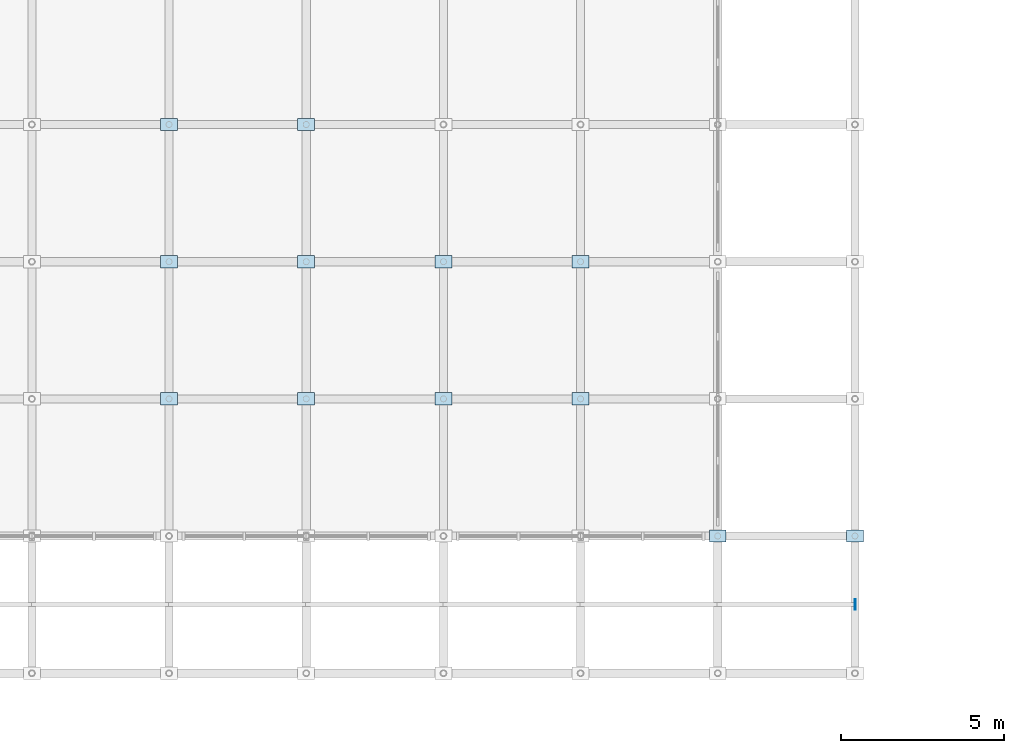
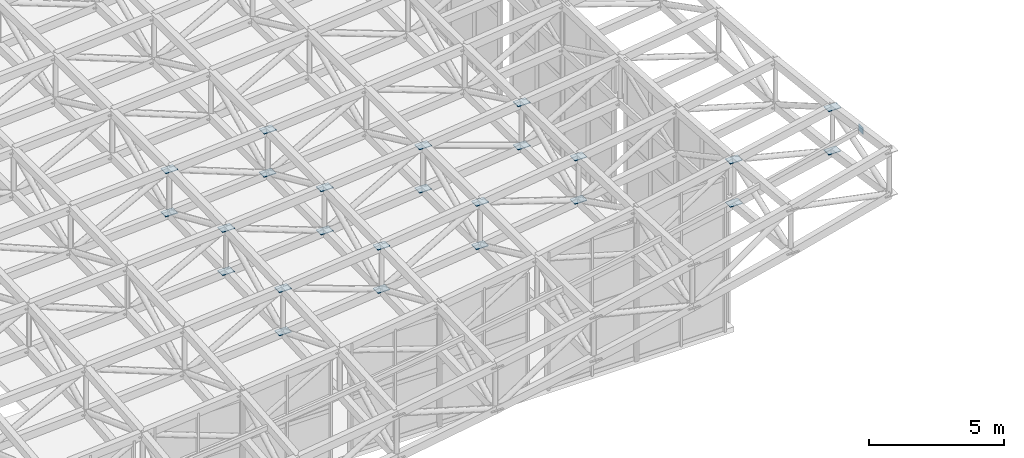
# One storey, part 80 of 111: 25 plates.
"""IFC4 building model written with IfcOpenShell, lengths in metres."""

from ifc_helpers import new_model, si_unit, direction, frame, origin, origin_2d, place, context, subcontext, project, spatial, rectangle, extrude, material, layer, layer_set, type_object, element, save


model = new_model("IFC4")

# Units and contexts
model_context = context("Model", 3, precision=1e-05, world=origin(), true_north=direction((0.0, 1.0)))
body_context = subcontext(model_context, "Body", "Model", "MODEL_VIEW")
ifc_project = project(units=[si_unit("LENGTHUNIT", "METRE"), si_unit("AREAUNIT", "SQUARE_METRE"), si_unit("VOLUMEUNIT", "CUBIC_METRE"), si_unit("PLANEANGLEUNIT", "RADIAN"), si_unit("MASSUNIT", "GRAM", prefix="KILO")], contexts=[model_context])

# Site, building, storey
site_placement = place(None, origin())
site = spatial("IfcSite", under=ifc_project, at=site_placement, CompositionType="ELEMENT")
building_placement = place(site_placement, origin())
building = spatial("IfcBuilding", under=site, at=building_placement, Name="Cumbredor Promenade Congress Hotel", CompositionType="ELEMENT")
storey_placement = place(building_placement, frame((0.0, 0.0, 15.1201171875)))
storey = spatial("IfcBuildingStorey", under=building, at=storey_placement, Name="L04", CompositionType="ELEMENT", Elevation=15.1201171875)

# Plates
ifc_material = material(Name="Steel ASTM A572 Grade 50", Category="steel")
ifc_layer_1 = layer(ifc_material, 0.030029296875, Name="Steel ASTM A572 Grade 50", Category="steel")
ifc_layer_set_1 = layer_set([ifc_layer_1], Name="Steel ASTM A572 Grade 50")
plate_type_1 = type_object("IfcPlateType", Name="Forum Truss Node Assembly ND-04", PredefinedType="USERDEFINED", material=ifc_layer_set_1)
for number, where, z_axis, x_axis, name in (
    (1, (159.60009765625, 88.199951171875, 5.06396484375), (0.0, 0.0, 1.0), (1.0, 0.0, 0.0), "Pre-Function and Breakout Meeting Forum Space Frame Top Node 18.3"),
    (2, (159.60009765625, 88.199951171875, 3.11376953125), (0.0, 0.0, 1.0), (1.0, 0.0, 0.0), "Pre-Function and Breakout Meeting Forum Space Frame Bottom Node 18.3"),
    (3, (159.60009765625, 92.39990234375, 5.23046875), (0.0, 0.0, 1.0), (1.0, 0.0, 0.0), "Pre-Function and Breakout Meeting Forum Space Frame Top Node 18.4"),
    (4, (159.60009765625, 92.39990234375, 3.28076171875), (0.0, 0.0, 1.0), (1.0, 0.0, 0.0), "Pre-Function and Breakout Meeting Forum Space Frame Bottom Node 18.4"),
    (5, (159.60009765625, 96.60009765625, 5.33056640625), (0.0, 0.0, 1.0), (1.0, 0.0, 0.0), "Pre-Function and Breakout Meeting Forum Space Frame Top Node 18.5"),
    (6, (159.60009765625, 96.60009765625, 3.380859375), (0.0, 0.0, 1.0), (1.0, 0.0, 0.0), "Pre-Function and Breakout Meeting Forum Space Frame Bottom Node 18.5"),
    (7, (163.800048828125, 88.199951171875, 5.50390625), (0.0, 0.0, 1.0), (1.0, 0.0, 0.0), "Pre-Function and Breakout Meeting Forum Space Frame Top Node 19.3"),
    (8, (163.800048828125, 88.199951171875, 3.5537109375), (0.0, 0.0, 1.0), (1.0, 0.0, 0.0), "Pre-Function and Breakout Meeting Forum Space Frame Bottom Node 19.3"),
    (9, (163.800048828125, 92.39990234375, 5.59326171875), (0.0, 0.0, 1.0), (1.0, 0.0, 0.0), "Pre-Function and Breakout Meeting Forum Space Frame Top Node 19.4"),
    (10, (163.800048828125, 92.39990234375, 3.64306640625), (0.0, 0.0, 1.0), (1.0, 0.0, 0.0), "Pre-Function and Breakout Meeting Forum Space Frame Bottom Node 19.4"),
    (11, (163.800048828125, 96.60009765625, 5.64697265625), (0.0, 0.0, 1.0), (1.0, 0.0, 0.0), "Pre-Function and Breakout Meeting Forum Space Frame Top Node 19.5"),
    (12, (163.800048828125, 96.60009765625, 3.69677734375), (0.0, 0.0, 1.0), (1.0, 0.0, 0.0), "Pre-Function and Breakout Meeting Forum Space Frame Bottom Node 19.5"),
    (13, (168.0, 88.199951171875, 6.0107421875), (0.0, 0.0, 1.0), (1.0, 0.0, 0.0), "Pre-Function and Breakout Meeting Forum Space Frame Top Node 20.3"),
    (14, (168.0, 88.199951171875, 4.060546875), (0.0, 0.0, 1.0), (1.0, 0.0, 0.0), "Pre-Function and Breakout Meeting Forum Space Frame Bottom Node 20.3"),
    (15, (168.0, 92.39990234375, 6.01123046875), (0.0, 0.0, 1.0), (1.0, 0.0, 0.0), "Pre-Function and Breakout Meeting Forum Space Frame Top Node 20.4"),
    (16, (168.0, 92.39990234375, 4.06103515625), (0.0, 0.0, 1.0), (1.0, 0.0, 0.0), "Pre-Function and Breakout Meeting Forum Space Frame Bottom Node 20.4"),
    (17, (172.199951171875, 88.199951171875, 6.5849609375), (0.0, 0.0, 1.0), (1.0, 0.0, 0.0), "Pre-Function and Breakout Meeting Forum Space Frame Top Node 21.3"),
    (18, (172.199951171875, 88.199951171875, 4.63525390625), (0.0, 0.0, 1.0), (1.0, 0.0, 0.0), "Pre-Function and Breakout Meeting Forum Space Frame Bottom Node 21.3"),
    (19, (172.199951171875, 92.39990234375, 6.48486328125), (0.0, 0.0, 1.0), (1.0, 0.0, 0.0), "Pre-Function and Breakout Meeting Forum Space Frame Top Node 21.4"),
    (20, (172.199951171875, 92.39990234375, 4.53466796875), (0.0, 0.0, 1.0), (1.0, 0.0, 0.0), "Pre-Function and Breakout Meeting Forum Space Frame Bottom Node 21.4"),
    (21, (176.39990234375, 84.0, 7.5244140625), (0.0, 0.0, 1.0), (1.0, 0.0, 0.0), "Pre-Function and Breakout Meeting Forum Space Frame Top Node 22.2"),
    (22, (176.39990234375, 84.0, 5.57470703125), (0.0, 0.0, 1.0), (1.0, 0.0, 0.0), "Pre-Function and Breakout Meeting Forum Space Frame Bottom Node 22.2"),
    (23, (180.60009765625, 84.0, 8.41162109375), (0.0, 0.0, 1.0), (1.0, 0.0, 0.0), "Pre-Function and Breakout Meeting Forum Space Frame Top Node 23.2"),
    (24, (180.60009765625, 84.0, 6.4619140625), (0.0, 0.0, 1.0), (1.0, 0.0, 0.0), "Pre-Function and Breakout Meeting Forum Space Frame Bottom Node 23.2"),
):
    element("IfcPlate", number, at=place(storey_placement, frame(where, z_axis=z_axis, x_axis=x_axis)), inside=storey, type_object=plate_type_1, Name=name, ObjectType="GUSSET PLATE", PredefinedType="USERDEFINED", context=body_context, shape_type="SweptSolid", body=[
        extrude(rectangle(XDim=0.52001953125, YDim=0.3798828125, at=origin_2d()), origin(), (0.0, 0.0, 1.0), 0.030029296875),
    ])
ifc_layer_2 = layer(ifc_material, 0.02001953125, Name="Steel ASTM A572 Grade 50", Category="steel")
ifc_layer_set_2 = layer_set([ifc_layer_2], Name="Steel ASTM A572 Grade 50")
plate_type_2 = type_object("IfcPlateType", Name="Hollow Section End Cap Plate CP-05", PredefinedType="USERDEFINED", material=ifc_layer_set_2)
plate_placement = place(storey_placement, frame((180.607666015625, 81.89990234375, 8.5537109375), z_axis=(0.0, 0.0, 1.0), x_axis=(1.0, 0.0, 0.0)))
element("IfcPlate", 25, at=plate_placement, inside=storey, type_object=plate_type_2, Name="Pre-Function and Breakout Meeting Forum Roof Eave Purlin 22.1 End Cap Plate", ObjectType="CAP PLATE", PredefinedType="USERDEFINED", context=body_context, shape_type="SweptSolid", body=[
    extrude(rectangle(XDim=0.02001953125, YDim=0.320068359375, at=origin_2d()), origin(), (0.0, 0.0, 1.0), 0.320068359375),
])

save(model, "model.ifc")
